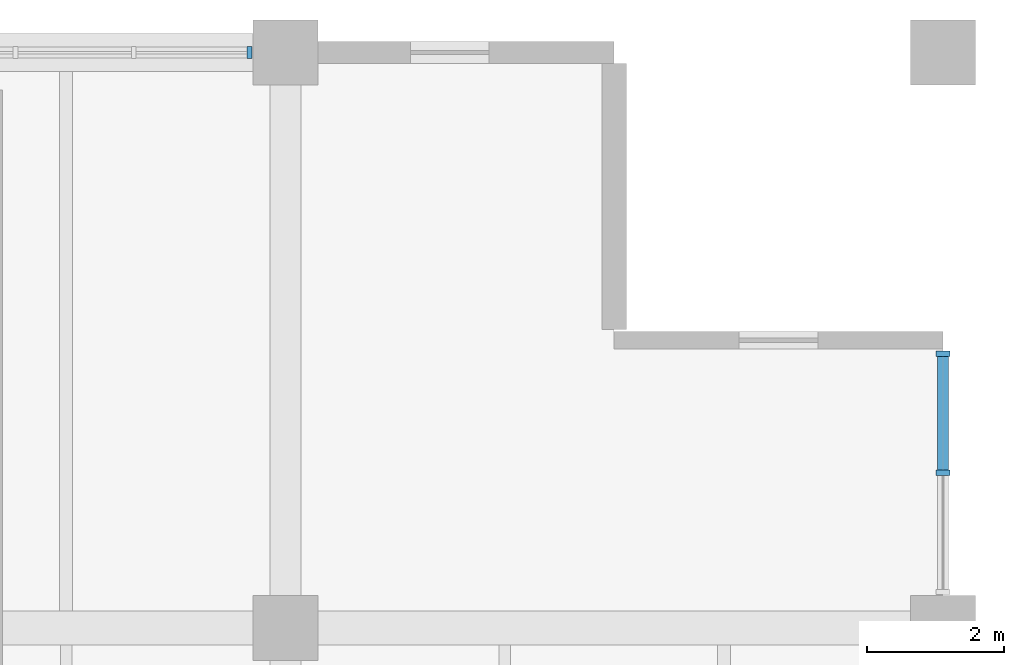
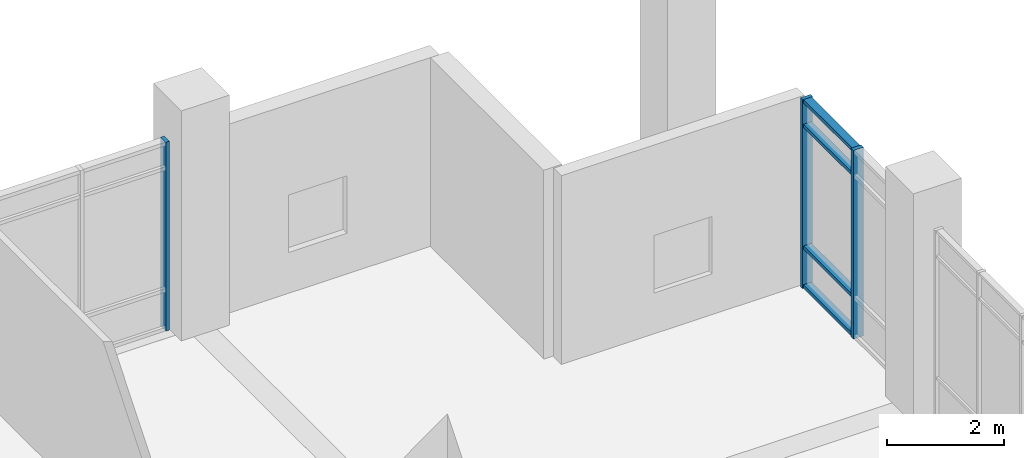
# One storey, part 84 of 152: 7 members, 2 elements without a shape of their own.
"""IFC4 building model written with IfcOpenShell, lengths in metres."""

from ifc_helpers import new_model, si_unit, direction, frame, origin, origin_2d, place, context, subcontext, project, spatial, rectangle, extrude, material, material_profile, profile_set, type_object, element, aggregate, save


model = new_model("IFC4")

# Units and contexts
model_context = context("Model", 3, precision=1e-05, world=origin(), true_north=direction((0.0, 1.0)))
body_context = subcontext(model_context, "Body", "Model", "MODEL_VIEW")
ifc_project = project(units=[si_unit("LENGTHUNIT", "METRE"), si_unit("AREAUNIT", "SQUARE_METRE"), si_unit("VOLUMEUNIT", "CUBIC_METRE"), si_unit("PLANEANGLEUNIT", "RADIAN"), si_unit("MASSUNIT", "GRAM", prefix="KILO")], contexts=[model_context])

# Site, building, storey
site_placement = place(None, origin())
site = spatial("IfcSite", under=ifc_project, at=site_placement, CompositionType="ELEMENT")
building_placement = place(site_placement, origin())
building = spatial("IfcBuilding", under=site, at=building_placement, Name="Oolite Switchyard Hospital", CompositionType="ELEMENT")
storey_placement = place(building_placement, frame((0.0, 0.0, 5.10009765625)))
storey = spatial("IfcBuildingStorey", under=building, at=storey_placement, Name="L01", CompositionType="ELEMENT", Elevation=5.10009765625)

# Curtain wall, member
ifc_material_1 = material(Name="Thermally broken aluminum frame with laminated impact glazing", Category="aluminium")
curtain_wall_type_1 = type_object("IfcCurtainWallType", Name="CW-UNIT-96X48", PredefinedType="USERDEFINED", material=ifc_material_1)
curtain_wall_1_placement = place(storey_placement, origin())
curtain_wall_1 = element("IfcCurtainWall", 1, at=curtain_wall_1_placement, inside=storey, type_object=curtain_wall_type_1, Name="L01 Unitised Curtain Wall 159", ObjectType="UNITISED", PredefinedType="USERDEFINED")
ifc_material_2 = material(Name="Aluminium 6063-T6", Category="aluminium")
ifc_material_profile_1 = material_profile(ifc_material_2, rectangle(XDim=0.179931640625, YDim=0.070068359375, at=origin_2d()), Name="CWM70X180")
ifc_profile_set_1 = profile_set([ifc_material_profile_1], Name="Aluminium 6063-T6")
member_type_1 = type_object("IfcMemberType", Name="CW-MUL-220", PredefinedType="MULLION", material=ifc_profile_set_1)
member_1_placement = place(storey_placement, frame((201.074951171875, 134.39990234375, 0.0), z_axis=(0.0, 0.0, 1.0), x_axis=(0.0, 1.0, 0.0)))
member_1 = element("IfcMember", 2, at=member_1_placement, type_object=member_type_1, Name="CW-02 mullion 6", PredefinedType="MULLION", context=body_context, shape_type="SweptSolid", body=[
    extrude(rectangle(XDim=0.179931640625, YDim=0.070068359375, at=origin_2d()), origin(), (0.0, 0.0, 1.0), 3.93994140625),
])
aggregate(curtain_wall_1, [member_1])

# Curtain wall, members
curtain_wall_type_2 = type_object("IfcCurtainWallType", Name="CW-UNIT-84X48", PredefinedType="USERDEFINED", material=ifc_material_1)
curtain_wall_2_placement = place(storey_placement, origin())
curtain_wall_2 = element("IfcCurtainWall", 3, at=curtain_wall_2_placement, inside=storey, type_object=curtain_wall_type_2, Name="L01 Unitised Curtain Wall 205", ObjectType="UNITISED", PredefinedType="USERDEFINED")
ifc_material_profile_2 = material_profile(ifc_material_2, rectangle(XDim=0.199951171875, YDim=0.074951171875, at=origin_2d()), Name="CWM75X200")
ifc_profile_set_2 = profile_set([ifc_material_profile_2], Name="Aluminium 6063-T6")
member_type_2 = type_object("IfcMemberType", Name="CW-MUL-260", PredefinedType="MULLION", material=ifc_profile_set_2)
member_2_placement = place(storey_placement, frame((211.199951171875, 130.00244140625, 0.0), z_axis=(0.0, 0.0, 1.0), x_axis=(1.0, 0.0, 0.0)))
member_2 = element("IfcMember", 4, at=member_2_placement, type_object=member_type_2, Name="CW-07 mullion 1", PredefinedType="MULLION", context=body_context, shape_type="SweptSolid", body=[
    extrude(rectangle(XDim=0.199951171875, YDim=0.074951171875, at=origin_2d()), origin(), (0.0, 0.0, 1.0), 3.93994140625),
])
member_3_placement = place(storey_placement, frame((211.199951171875, 128.264892578125, 0.0), z_axis=(0.0, 0.0, 1.0), x_axis=(1.0, 0.0, 0.0)))
member_3 = element("IfcMember", 5, at=member_3_placement, type_object=member_type_2, Name="CW-07 mullion 2", PredefinedType="MULLION", context=body_context, shape_type="SweptSolid", body=[
    extrude(rectangle(XDim=0.199951171875, YDim=0.074951171875, at=origin_2d()), origin(), (0.0, 0.0, 1.0), 3.93994140625),
])
ifc_material_profile_3 = material_profile(ifc_material_2, rectangle(XDim=0.159912109375, YDim=0.074951171875, at=origin_2d()), Name="CWT75X160")
ifc_profile_set_3 = profile_set([ifc_material_profile_3], Name="Aluminium 6063-T6")
member_type_3 = type_object("IfcMemberType", Name="CW-TRN-180", PredefinedType="USERDEFINED", material=ifc_profile_set_3)
member_4_placement = place(storey_placement, frame((211.199951171875, 129.965087890625, 0.037353515625), z_axis=(0.0, -1.0, 0.0), x_axis=(1.0, 0.0, 0.0)))
member_4 = element("IfcMember", 6, at=member_4_placement, type_object=member_type_3, Name="CW-07 transom 1.1", ObjectType="TRANSOM", PredefinedType="USERDEFINED", context=body_context, shape_type="SweptSolid", body=[
    extrude(rectangle(XDim=0.159912109375, YDim=0.074951171875, at=origin_2d()), origin(), (0.0, 0.0, 1.0), 1.66259765625),
])
member_5_placement = place(storey_placement, frame((211.199951171875, 129.965087890625, 0.849853515625), z_axis=(0.0, -1.0, 0.0), x_axis=(1.0, 0.0, 0.0)))
member_5 = element("IfcMember", 7, at=member_5_placement, type_object=member_type_3, Name="CW-07 transom 1.2", ObjectType="TRANSOM", PredefinedType="USERDEFINED", context=body_context, shape_type="SweptSolid", body=[
    extrude(rectangle(XDim=0.159912109375, YDim=0.074951171875, at=origin_2d()), origin(), (0.0, 0.0, 1.0), 1.66259765625),
])
member_6_placement = place(storey_placement, frame((211.199951171875, 129.965087890625, 3.389892578125), z_axis=(0.0, -1.0, 0.0), x_axis=(1.0, 0.0, 0.0)))
member_6 = element("IfcMember", 8, at=member_6_placement, type_object=member_type_3, Name="CW-07 transom 1.3", ObjectType="TRANSOM", PredefinedType="USERDEFINED", context=body_context, shape_type="SweptSolid", body=[
    extrude(rectangle(XDim=0.159912109375, YDim=0.074951171875, at=origin_2d()), origin(), (0.0, 0.0, 1.0), 1.66259765625),
])
member_7_placement = place(storey_placement, frame((211.199951171875, 129.965087890625, 3.90234375), z_axis=(0.0, -1.0, 0.0), x_axis=(1.0, 0.0, 0.0)))
member_7 = element("IfcMember", 9, at=member_7_placement, type_object=member_type_3, Name="CW-07 transom 1.4", ObjectType="TRANSOM", PredefinedType="USERDEFINED", context=body_context, shape_type="SweptSolid", body=[
    extrude(rectangle(XDim=0.159912109375, YDim=0.074951171875, at=origin_2d()), origin(), (0.0, 0.0, 1.0), 1.66259765625),
])
aggregate(curtain_wall_2, [member_2, member_3, member_4, member_5, member_6, member_7])

save(model, "model.ifc")
